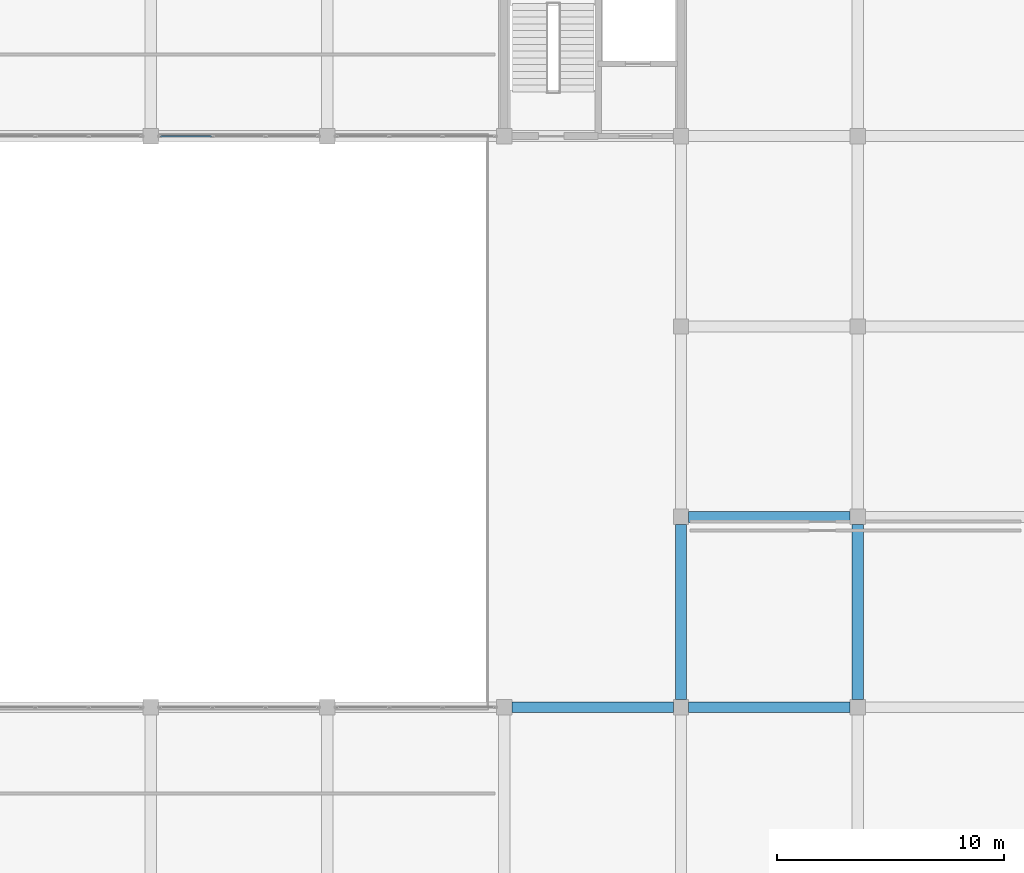
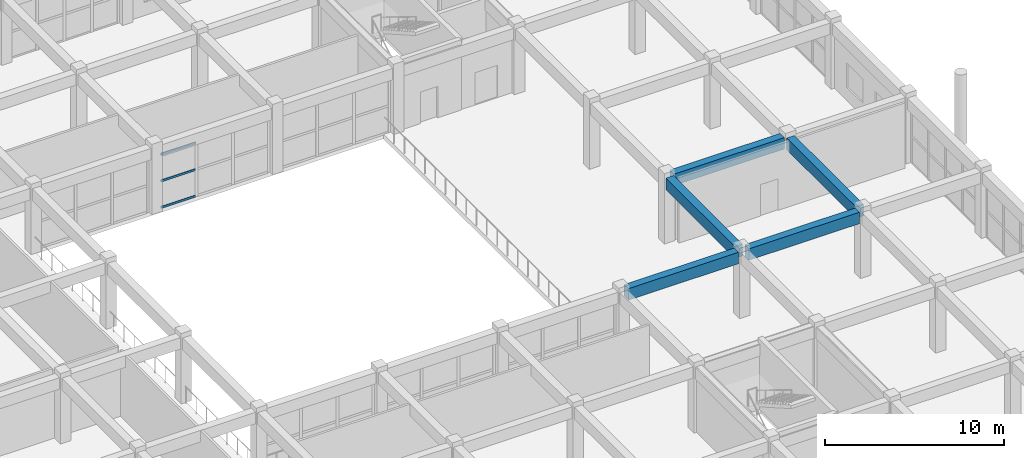
# One storey, part 104 of 175: 5 beams, 3 members, 1 element without a shape of its own.
"""IFC4 building model written with IfcOpenShell, lengths in metres."""

from ifc_helpers import new_model, si_unit, direction, frame, origin, origin_2d, place, context, subcontext, project, spatial, rectangle, hollow_rectangle, extrude, material, layer, layer_set, material_profile, profile_set, type_object, element, aggregate, save


model = new_model("IFC4")

# Units and contexts
model_context = context("Model", 3, precision=1e-05, world=origin(), true_north=direction((0.0, 1.0)))
body_context = subcontext(model_context, "Body", "Model", "MODEL_VIEW")
ifc_project = project(units=[si_unit("LENGTHUNIT", "METRE"), si_unit("AREAUNIT", "SQUARE_METRE"), si_unit("VOLUMEUNIT", "CUBIC_METRE"), si_unit("PLANEANGLEUNIT", "RADIAN"), si_unit("MASSUNIT", "GRAM", prefix="KILO")], contexts=[model_context])

# Site, building, storey
site_placement = place(None, origin())
site = spatial("IfcSite", under=ifc_project, at=site_placement, CompositionType="ELEMENT")
building_placement = place(site_placement, origin())
building = spatial("IfcBuilding", under=site, at=building_placement, Name="Zizhar Promenade General Hospital", CompositionType="ELEMENT")
storey_placement = place(building_placement, frame((0.0, 0.0, 4.800048828125)))
storey = spatial("IfcBuildingStorey", under=building, at=storey_placement, Name="L01", CompositionType="ELEMENT", Elevation=4.800048828125)

# Beams
ifc_material_1 = material(Name="Concrete C35/45", Category="concrete")
ifc_material_profile_1 = material_profile(ifc_material_1, rectangle(XDim=0.47998046875, YDim=0.780029296875, at=origin_2d()))
ifc_profile_set_1 = profile_set([ifc_material_profile_1], Name="Concrete C35/45")
beam_type_1 = type_object("IfcBeamType", Name="BM-RC-480x780", PredefinedType="BEAM", material=ifc_profile_set_1)
for number, where, z_axis, x_axis, name in (
    (1, (171.93994140625, 67.199951171875, 4.079833984375), (1.0, 0.0, 0.0), (0.0, 1.0, 0.0), "Grid Beam X L01 (22-8)"),
    (2, (179.739990234375, 67.199951171875, 4.079833984375), (1.0, 0.0, 0.0), (0.0, 1.0, 0.0), "Grid Beam X L01 (23-8)"),
    (3, (179.739990234375, 75.60009765625, 4.079833984375), (1.0, 0.0, 0.0), (0.0, 1.0, 0.0), "Grid Beam X L01 (23-9)"),
):
    element("IfcBeam", number, at=place(storey_placement, frame(where, z_axis=z_axis, x_axis=x_axis)), inside=storey, type_object=beam_type_1, Name=name, PredefinedType="BEAM", context=body_context, shape_type="SweptSolid", body=[
        extrude(rectangle(XDim=0.47998046875, YDim=0.780029296875, at=origin_2d()), origin(), (0.0, 0.0, 1.0), 7.1201171875),
    ])
ifc_material_2 = material(Name="Concrete C35/45", Category="concrete")
ifc_material_profile_2 = material_profile(ifc_material_2, rectangle(XDim=0.5, YDim=0.800048828125, at=origin_2d()))
ifc_profile_set_2 = profile_set([ifc_material_profile_2], Name="Concrete C35/45")
beam_type_2 = type_object("IfcBeamType", Name="BM-RC-500x800", PredefinedType="BEAM", material=ifc_profile_set_2)
for number, where, z_axis, x_axis, name in (
    (4, (179.39990234375, 67.5400390625, 4.070068359375), (0.0, 1.0, 0.0), (-1.0, 0.0, 0.0), "Grid Beam Y L01 (23-8)"),
    (5, (187.199951171875, 67.5400390625, 4.070068359375), (0.0, 1.0, 0.0), (-1.0, 0.0, 0.0), "Grid Beam Y L01 (24-8)"),
):
    element("IfcBeam", number, at=place(storey_placement, frame(where, z_axis=z_axis, x_axis=x_axis)), inside=storey, type_object=beam_type_2, Name=name, PredefinedType="BEAM", context=body_context, shape_type="SweptSolid", body=[
        extrude(rectangle(XDim=0.5, YDim=0.800048828125, at=origin_2d()), origin(), (0.0, 0.0, 1.0), 7.719970703125),
    ])

# Curtain wall, members
ifc_material_3 = material(Name="Anodised aluminium 6063-T6 and low-E glass", Category="aluminium")
ifc_layer = layer(ifc_material_3, 0.159912109375)
ifc_layer_set = layer_set([ifc_layer], Name="Anodised aluminium 6063-T6 and low-E glass")
curtain_wall_type = type_object("IfcCurtainWallType", Name="CW-CLN-CRT", PredefinedType="NOTDEFINED", material=ifc_layer_set)
curtain_wall_placement = place(storey_placement, origin())
curtain_wall = element("IfcCurtainWall", 6, at=curtain_wall_placement, inside=storey, type_object=curtain_wall_type, Name="East Light Court North Glazing L01-20", PredefinedType="NOTDEFINED")
ifc_material_4 = material(Name="Anodised aluminium 6063-T6", Category="aluminium")
ifc_material_profile_3 = material_profile(ifc_material_4, hollow_rectangle(XDim=0.06005859375, YDim=0.14990234375, WallThickness=0.00390625, at=origin_2d()))
ifc_profile_set_3 = profile_set([ifc_material_profile_3], Name="Anodised aluminium 6063-T6")
member_type = type_object("IfcMemberType", Name="CWT-ALU-150x60", PredefinedType="USERDEFINED", material=ifc_profile_set_3)
member_1_placement = place(storey_placement, frame((158.679931640625, 92.39990234375, 0.030029296875), z_axis=(-1.0, 0.0, 0.0), x_axis=(0.0, -1.0, 0.0)))
member_1 = element("IfcMember", 7, at=member_1_placement, type_object=member_type, Name="CW-10 transom 3.1", ObjectType="TRANSOM", PredefinedType="USERDEFINED", context=body_context, shape_type="SweptSolid", body=[
    extrude(hollow_rectangle(XDim=0.06005859375, YDim=0.14990234375, WallThickness=0.00390625, at=origin_2d()), origin(), (0.0, 0.0, 1.0), 2.239990234375),
])
member_2_placement = place(storey_placement, frame((158.679931640625, 92.39990234375, 1.83984375), z_axis=(-1.0, 0.0, 0.0), x_axis=(0.0, -1.0, 0.0)))
member_2 = element("IfcMember", 8, at=member_2_placement, type_object=member_type, Name="CW-10 transom 3.2", ObjectType="TRANSOM", PredefinedType="USERDEFINED", context=body_context, shape_type="SweptSolid", body=[
    extrude(hollow_rectangle(XDim=0.06005859375, YDim=0.14990234375, WallThickness=0.00390625, at=origin_2d()), origin(), (0.0, 0.0, 1.0), 2.239990234375),
])
member_3_placement = place(storey_placement, frame((158.679931640625, 92.39990234375, 3.64990234375), z_axis=(-1.0, 0.0, 0.0), x_axis=(0.0, -1.0, 0.0)))
member_3 = element("IfcMember", 9, at=member_3_placement, type_object=member_type, Name="CW-10 transom 3.3", ObjectType="TRANSOM", PredefinedType="USERDEFINED", context=body_context, shape_type="SweptSolid", body=[
    extrude(hollow_rectangle(XDim=0.06005859375, YDim=0.14990234375, WallThickness=0.00390625, at=origin_2d()), origin(), (0.0, 0.0, 1.0), 2.239990234375),
])
aggregate(curtain_wall, [member_1, member_2, member_3])

save(model, "model.ifc")
